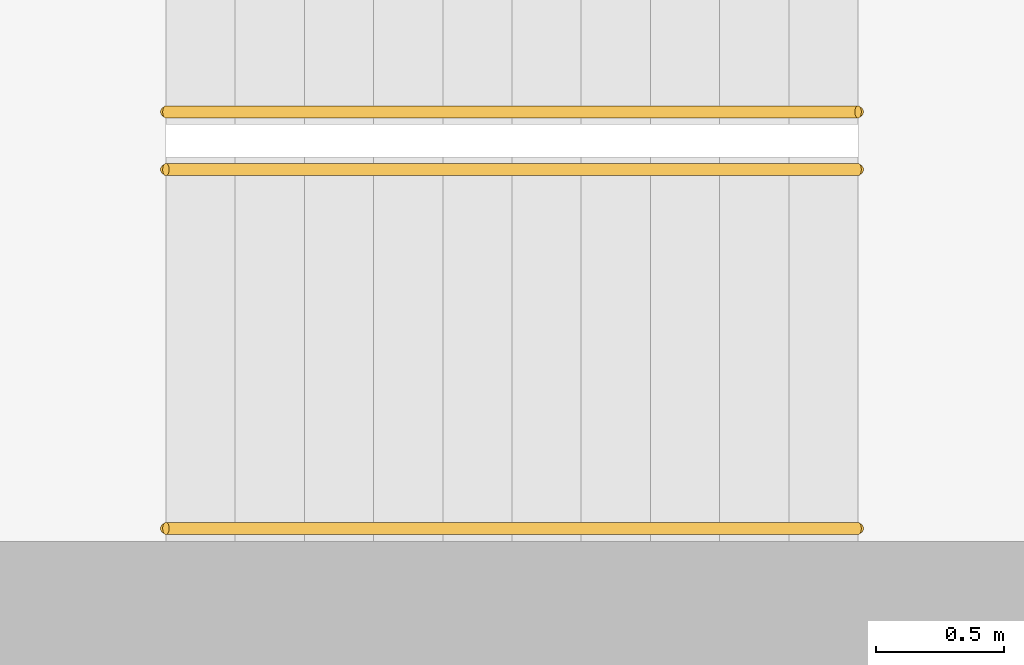
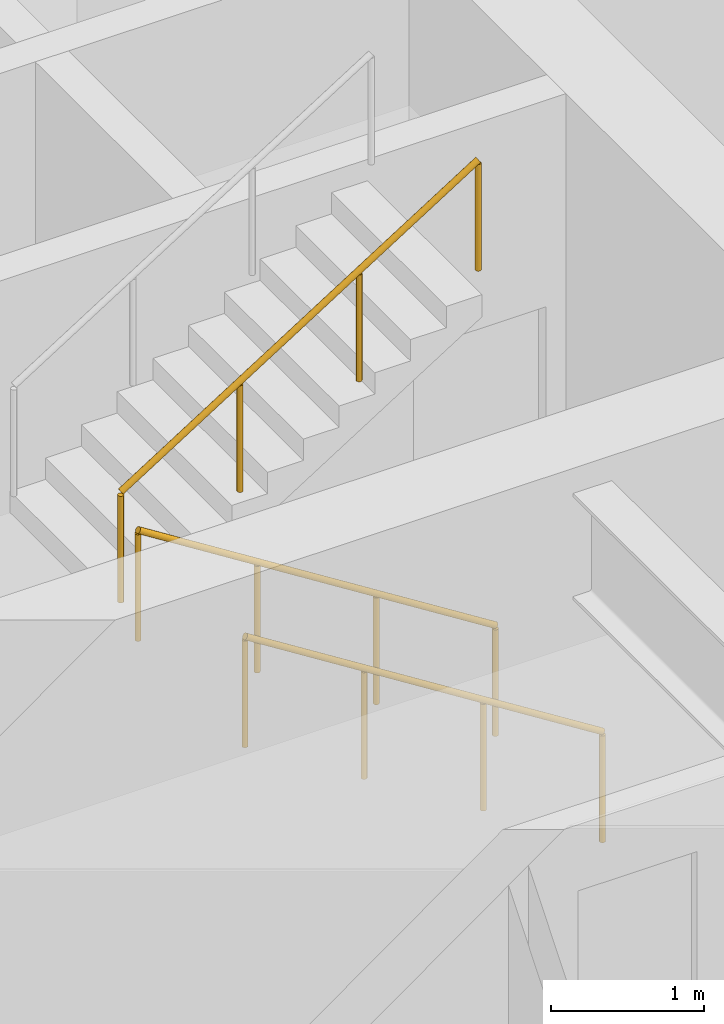
# One storey, part 14 of 18: 3 railings.
"""IFC4 building model written with IfcOpenShell, lengths in metres."""

from ifc_helpers import new_model, si_unit, direction, frame, origin, origin_2d, place, context, subcontext, project, spatial, circle, extrude, material, type_object, element, save


model = new_model("IFC4")

# Units and contexts
model_context = context("Model", 3, precision=1e-05, world=origin(), true_north=direction((0.0, 1.0)))
body_context = subcontext(model_context, "Body", "Model", "MODEL_VIEW")
ifc_project = project(units=[si_unit("LENGTHUNIT", "METRE"), si_unit("AREAUNIT", "SQUARE_METRE"), si_unit("VOLUMEUNIT", "CUBIC_METRE"), si_unit("PLANEANGLEUNIT", "RADIAN"), si_unit("MASSUNIT", "GRAM", prefix="KILO")], contexts=[model_context])

# Site, building, storey
site_placement = place(None, origin())
site = spatial("IfcSite", under=ifc_project, at=site_placement, CompositionType="ELEMENT")
building_placement = place(site_placement, origin())
building = spatial("IfcBuilding", under=site, at=building_placement, Name="Msasa Ring Tower", CompositionType="ELEMENT")
storey_placement = place(building_placement, frame((0.0, 0.0, 200.800048828125)))
storey = spatial("IfcBuildingStorey", under=building, at=storey_placement, Name="L52", CompositionType="ELEMENT", Elevation=200.800048828125)

# Railings
ifc_material = material(Name="Stainless steel", Category="steel")
railing_type = type_object("IfcRailingType", Name="HR1 HANDRAIL 900", PredefinedType="HANDRAIL", material=ifc_material)
for number, where, name in (
    (1, (-10.800048828125, -6.39990234375, 0.17041015625), "Handrail stair SWA L52 1"),
    (2, (-10.800048828125, -5.0, 0.17041015625), "Handrail stair SWA L52 2"),
):
    element("IfcRailing", number, at=place(storey_placement, frame(where)), inside=storey, type_object=railing_type, Name=name, PredefinedType="HANDRAIL", context=body_context, shape_type="SweptSolid", body=[
        extrude(circle(Radius=0.02392578125, at=origin_2d()), frame((0.0, 0.0, 0.8759765625), z_axis=(-0.845579735284, 0.0, 0.533849146555), x_axis=(0.0, -1.0, 0.0)), (0.0, 0.0, 1.0), 3.193115234375),
        extrude(circle(Radius=0.02099609375, at=origin_2d()), origin(), (0.0, 0.0, 1.0), 0.851806640625),
        extrude(circle(Radius=0.02099609375, at=origin_2d()), frame((-0.89990234375, 0.0, 0.568115234375)), (0.0, 0.0, 1.0), 0.851806640625),
        extrude(circle(Radius=0.02099609375, at=origin_2d()), frame((-1.800048828125, 0.0, 1.136474609375)), (0.0, 0.0, 1.0), 0.851806640625),
        extrude(circle(Radius=0.02099609375, at=origin_2d()), frame((-2.699951171875, 0.0, 1.70458984375)), (0.0, 0.0, 1.0), 0.851806640625),
    ])
railing_placement = place(storey_placement, frame((-13.5, -4.77490234375, 2.04541015625)))
element("IfcRailing", 3, at=railing_placement, inside=storey, type_object=railing_type, Name="Handrail stair SWA L52 3", PredefinedType="HANDRAIL", context=body_context, shape_type="SweptSolid", body=[
    extrude(circle(Radius=0.02392578125, at=origin_2d()), frame((0.0, 0.0, 0.8759765625), z_axis=(0.845579735284, 0.0, 0.533849146555), x_axis=(0.0, 1.0, 0.0)), (0.0, 0.0, 1.0), 3.193115234375),
    extrude(circle(Radius=0.02099609375, at=origin_2d()), origin(), (0.0, 0.0, 1.0), 0.851806640625),
    extrude(circle(Radius=0.02099609375, at=origin_2d()), frame((0.89990234375, 0.0, 0.568115234375)), (0.0, 0.0, 1.0), 0.851806640625),
    extrude(circle(Radius=0.02099609375, at=origin_2d()), frame((1.800048828125, 0.0, 1.136474609375)), (0.0, 0.0, 1.0), 0.851806640625),
    extrude(circle(Radius=0.02099609375, at=origin_2d()), frame((2.699951171875, 0.0, 1.70458984375)), (0.0, 0.0, 1.0), 0.851806640625),
])

save(model, "model.ifc")
